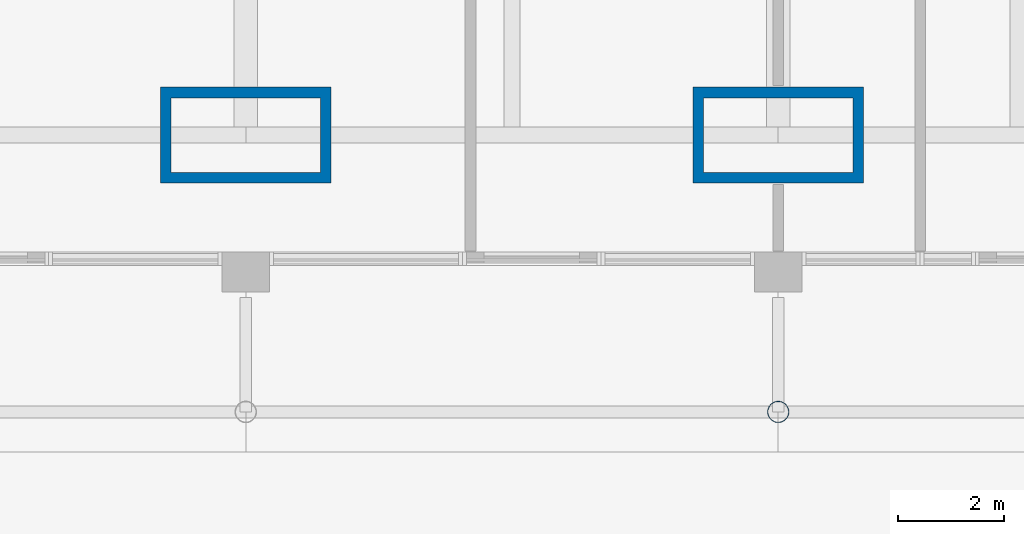
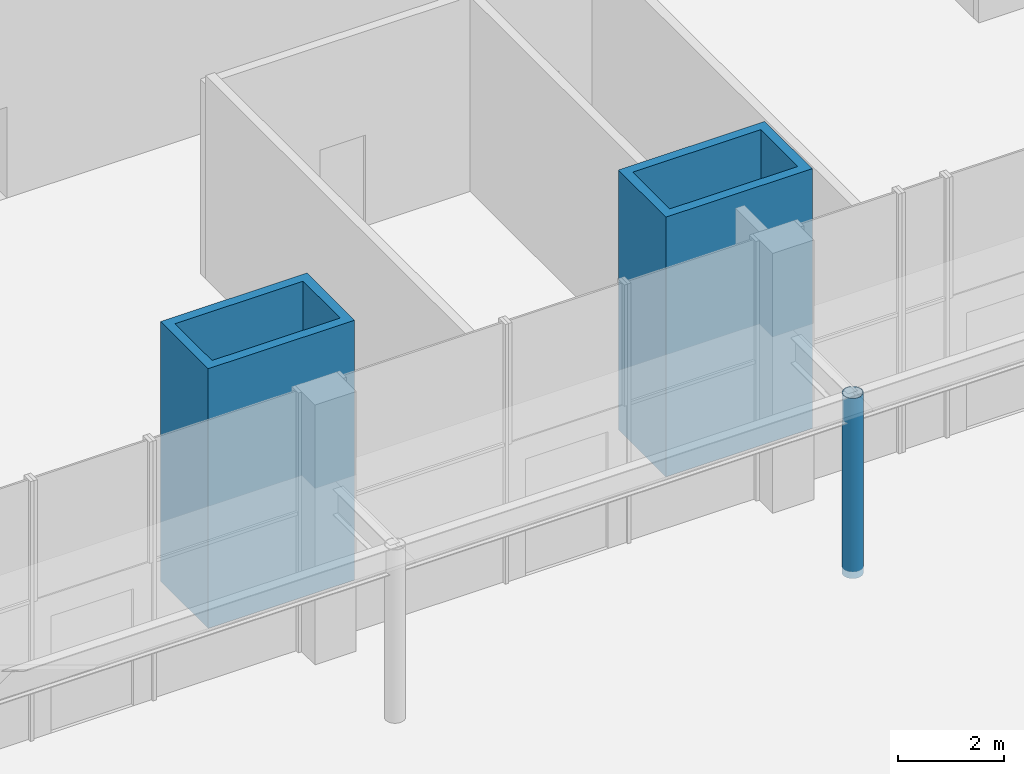
# One storey, part 2 of 31: 3 columns.
"""IFC4 building model written with IfcOpenShell, lengths in metres."""

from ifc_helpers import new_model, si_unit, direction, frame, origin, origin_2d, place, context, subcontext, project, spatial, hollow_rectangle, hollow_circle, extrude, material, material_profile, profile_set, type_object, element, save


model = new_model("IFC4")

# Units and contexts
model_context = context("Model", 3, precision=1e-05, world=origin(), true_north=direction((0.0, 1.0)))
body_context = subcontext(model_context, "Body", "Model", "MODEL_VIEW")
ifc_project = project(units=[si_unit("LENGTHUNIT", "METRE"), si_unit("AREAUNIT", "SQUARE_METRE"), si_unit("VOLUMEUNIT", "CUBIC_METRE"), si_unit("PLANEANGLEUNIT", "RADIAN"), si_unit("MASSUNIT", "GRAM", prefix="KILO")], contexts=[model_context])

# Site, building, storey
site_placement = place(None, origin())
site = spatial("IfcSite", under=ifc_project, at=site_placement, CompositionType="ELEMENT")
building_placement = place(site_placement, origin())
building = spatial("IfcBuilding", under=site, at=building_placement, Name="Khuree Lantern Residences", CompositionType="ELEMENT")
storey_placement = place(building_placement, origin())
storey = spatial("IfcBuildingStorey", under=building, at=storey_placement, Name="L00", CompositionType="ELEMENT", Elevation=0.0)

# Columns
ifc_material_1 = material(Name="Steel S355", Category="steel")
ifc_material_profile_1 = material_profile(ifc_material_1, hollow_circle(Radius=0.203125, WallThickness=0.012451171875, at=origin_2d()), Name="CHS 406.4X12.5")
ifc_profile_set_1 = profile_set([ifc_material_profile_1], Name="Steel S355")
column_type_1 = type_object("IfcColumnType", Name="CP1 CANOPY POST CHS 406.4X12.5", PredefinedType="COLUMN", material=ifc_profile_set_1)
column_placement = place(storey_placement, frame((10.0, -35.0, -0.159912109375), z_axis=(0.0, 0.0, 1.0), x_axis=(1.0, 0.0, 0.0)))
element("IfcColumn", 1, at=column_placement, inside=storey, type_object=column_type_1, Name="SOUTH FACE CANOPY POST 3", PredefinedType="COLUMN", context=body_context, shape_type="SweptSolid", body=[
    extrude(hollow_circle(Radius=0.203125, WallThickness=0.012451171875, at=origin_2d()), origin(), (0.0, 0.0, 1.0), 4.159912109375),
])
ifc_material_2 = material(Name="Steel S355 CFT welded box", Category="steel")
ifc_material_profile_2 = material_profile(ifc_material_2, hollow_rectangle(XDim=3.199951171875, YDim=1.800048828125, WallThickness=0.199951171875, at=origin_2d()), Name="WELDED BOX 3200X1800X200")
ifc_profile_set_2 = profile_set([ifc_material_profile_2], Name="Steel S355 CFT welded box")
column_type_2 = type_object("IfcColumnType", Name="SC1 PERIMETER MEGA COLUMN WELDED BOX 3200X1800X200", PredefinedType="COLUMN", material=ifc_profile_set_2)
for number, where, z_axis, x_axis, name in (
    (2, (10.0, -29.800048828125, 0.0), (0.0, 0.0, 1.0), (1.0, 0.0, 0.0), "Perimeter column S2"),
    (3, (0.0, -29.800048828125, 0.0), (0.0, 0.0, 1.0), (1.0, 0.0, 0.0), "Perimeter column S3"),
):
    element("IfcColumn", number, at=place(storey_placement, frame(where, z_axis=z_axis, x_axis=x_axis)), inside=storey, type_object=column_type_2, Name=name, PredefinedType="COLUMN", context=body_context, shape_type="SweptSolid", body=[
        extrude(hollow_rectangle(XDim=3.199951171875, YDim=1.800048828125, WallThickness=0.199951171875, at=origin_2d()), origin(), (0.0, 0.0, 1.0), 6.0),
    ])

save(model, "model.ifc")
